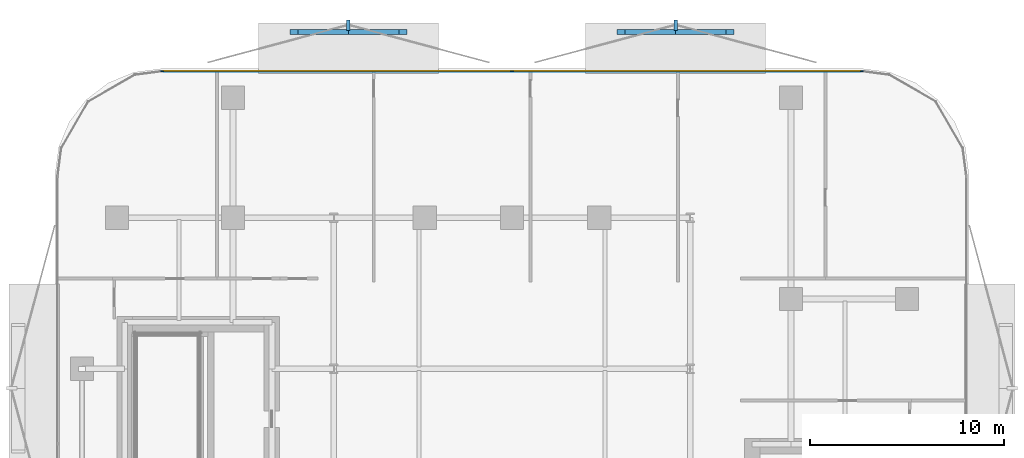
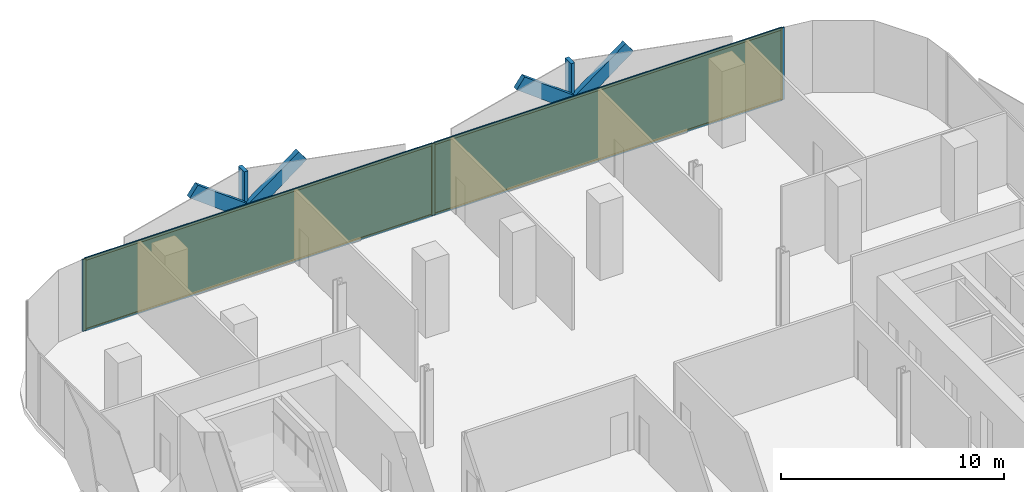
# One storey, part 10 of 15: 13 members, 2 plates, 1 curtain wall.
"""IFC4 building model written with IfcOpenShell, lengths in metres."""

from ifc_helpers import new_model, si_unit, direction, frame, frame_2d, origin, origin_2d, place, context, subcontext, project, spatial, rectangle, extrude, material, layer, layer_set, material_profile, profile_set, type_object, element, aggregate, save


model = new_model("IFC4")

# Units and contexts
model_context = context("Model", 3, precision=1e-05, world=origin(), true_north=direction((0.0, 1.0)))
body_context = subcontext(model_context, "Body", "Model", "MODEL_VIEW")
ifc_project = project(units=[si_unit("LENGTHUNIT", "METRE"), si_unit("AREAUNIT", "SQUARE_METRE"), si_unit("VOLUMEUNIT", "CUBIC_METRE"), si_unit("PLANEANGLEUNIT", "RADIAN"), si_unit("MASSUNIT", "GRAM", prefix="KILO")], contexts=[model_context])

# Member
ifc_material_1 = material(Name="Anodised Bronze Aluminium 6063-T6", Category="aluminium")
ifc_material_profile_1 = material_profile(ifc_material_1, rectangle(XDim=0.260009765625, YDim=0.699951171875, at=origin_2d()))
ifc_profile_set_1 = profile_set([ifc_material_profile_1], Name="Anodised Bronze Aluminium 6063-T6")
member_type_1 = type_object("IfcMemberType", Name="Bronze Diamond Solar-Screen Lattice Rib BDL-700", PredefinedType="MULLION", material=ifc_profile_set_1)
site_placement = place(None, origin())
building_placement = place(site_placement, origin())
storey_placement = place(building_placement, frame((0.0, 0.0, 135.199951171875)))
member_1_placement = place(storey_placement, frame((-11.260498046875, 28.199951171875, -0.1298828125), z_axis=(0.80154474731, 0.0, 0.597934794154), x_axis=(0.0, 1.0, 0.0)))
member_1 = element("IfcMember", 1, at=member_1_placement, type_object=member_type_1, Name="L31 Bronze Diamond Solar Screen Lattice Rib 197A", PredefinedType="MULLION", context=body_context, shape_type="SweptSolid", body=[
    extrude(rectangle(XDim=0.260009765625, YDim=0.699951171875, at=origin_2d()), origin(), (0.0, 0.0, 1.0), 7.024169921875),
])

member_2_placement = place(storey_placement, frame((-5.63037109375, 28.199951171875, -0.1298828125), z_axis=(-0.80154474731, 0.0, 0.597934794154), x_axis=(0.0, -1.0, 0.0)))
member_2 = element("IfcMember", 2, at=member_2_placement, type_object=member_type_1, Name="L31 Bronze Diamond Solar Screen Lattice Rib 197B", PredefinedType="MULLION", context=body_context, shape_type="SweptSolid", body=[
    extrude(rectangle(XDim=0.260009765625, YDim=0.699951171875, at=origin_2d()), origin(), (0.0, 0.0, 1.0), 7.024169921875),
])

member_3_placement = place(storey_placement, frame((5.63037109375, 28.199951171875, -0.1298828125), z_axis=(0.80154474731, 0.0, 0.597934794154), x_axis=(0.0, 1.0, 0.0)))
member_3 = element("IfcMember", 3, at=member_3_placement, type_object=member_type_1, Name="L31 Bronze Diamond Solar Screen Lattice Rib 198A", PredefinedType="MULLION", context=body_context, shape_type="SweptSolid", body=[
    extrude(rectangle(XDim=0.260009765625, YDim=0.699951171875, at=origin_2d()), origin(), (0.0, 0.0, 1.0), 7.024169921875),
])

member_4_placement = place(storey_placement, frame((11.260498046875, 28.199951171875, -0.1298828125), z_axis=(-0.80154474731, 0.0, 0.597934794154), x_axis=(0.0, -1.0, 0.0)))
member_4 = element("IfcMember", 4, at=member_4_placement, type_object=member_type_1, Name="L31 Bronze Diamond Solar Screen Lattice Rib 198B", PredefinedType="MULLION", context=body_context, shape_type="SweptSolid", body=[
    extrude(rectangle(XDim=0.260009765625, YDim=0.699951171875, at=origin_2d()), origin(), (0.0, 0.0, 1.0), 7.024169921875),
])

ifc_material_2 = material(Name="Anodised Bronze Aluminium 6063-T6", Category="aluminium")
ifc_material_profile_2 = material_profile(ifc_material_2, rectangle(XDim=0.179931640625, YDim=0.5400390625, at=origin_2d()))
ifc_profile_set_2 = profile_set([ifc_material_profile_2], Name="Anodised Bronze Aluminium 6063-T6")
member_type_2 = type_object("IfcMemberType", Name="Bronze Solar-Screen Vertical Fold Fin BSF-540", PredefinedType="MULLION", material=ifc_profile_set_2)
member_5_placement = place(storey_placement, frame((-8.4453125, 28.5400390625, -0.1298828125), z_axis=(0.0, 0.0, 1.0), x_axis=(1.0, 0.0, 0.0)))
member_5 = element("IfcMember", 5, at=member_5_placement, type_object=member_type_2, Name="L31 Bronze Solar Screen Vertical Fin 197", PredefinedType="MULLION", context=body_context, shape_type="SweptSolid", body=[
    extrude(rectangle(XDim=0.179931640625, YDim=0.5400390625, at=origin_2d()), origin(), (0.0, 0.0, 1.0), 4.199951171875),
])

member_6_placement = place(storey_placement, frame((8.4453125, 28.5400390625, -0.1298828125), z_axis=(0.0, 0.0, 1.0), x_axis=(1.0, 0.0, 0.0)))
member_6 = element("IfcMember", 6, at=member_6_placement, type_object=member_type_2, Name="L31 Bronze Solar Screen Vertical Fin 198", PredefinedType="MULLION", context=body_context, shape_type="SweptSolid", body=[
    extrude(rectangle(XDim=0.179931640625, YDim=0.5400390625, at=origin_2d()), origin(), (0.0, 0.0, 1.0), 4.199951171875),
])

ifc_material_3 = material(Name="Anodised Bronze Aluminium 6063-T6", Category="aluminium")
ifc_material_profile_3 = material_profile(ifc_material_3, rectangle(XDim=0.06494140625, YDim=0.175048828125, at=origin_2d()))
ifc_profile_set_3 = profile_set([ifc_material_profile_3], Name="Anodised Bronze Aluminium 6063-T6")
member_type_3 = type_object("IfcMemberType", Name="CW-Z2 Mullion 65x175", PredefinedType="MULLION", material=ifc_profile_set_3)
member_7_placement = place(storey_placement, frame((-18.058349609375, 26.159912109375, 0.0), z_axis=(0.0, 0.0, 1.0), x_axis=(0.0, 1.0, 0.0)))
member_7 = element("IfcMember", 7, at=member_7_placement, type_object=member_type_3, Name="CW-Z2 mullion 1", PredefinedType="MULLION", context=body_context, shape_type="SweptSolid", body=[
    extrude(rectangle(XDim=0.06494140625, YDim=0.175048828125, at=origin_2d()), origin(), (0.0, 0.0, 1.0), 3.93994140625),
])

member_8_placement = place(storey_placement, frame((0.0, 26.159912109375, 0.0), z_axis=(0.0, 0.0, 1.0), x_axis=(0.0, 1.0, 0.0)))
member_8 = element("IfcMember", 8, at=member_8_placement, type_object=member_type_3, Name="CW-Z2 mullion 2", PredefinedType="MULLION", context=body_context, shape_type="SweptSolid", body=[
    extrude(rectangle(XDim=0.06494140625, YDim=0.175048828125, at=origin_2d()), origin(), (0.0, 0.0, 1.0), 3.93994140625),
])

member_9_placement = place(storey_placement, frame((18.058349609375, 26.159912109375, 0.0), z_axis=(0.0, 0.0, 1.0), x_axis=(0.0, 1.0, 0.0)))
member_9 = element("IfcMember", 9, at=member_9_placement, type_object=member_type_3, Name="CW-Z2 mullion 3", PredefinedType="MULLION", context=body_context, shape_type="SweptSolid", body=[
    extrude(rectangle(XDim=0.06494140625, YDim=0.175048828125, at=origin_2d()), origin(), (0.0, 0.0, 1.0), 3.93994140625),
])

ifc_material_4 = material(Name="Anodised Bronze Aluminium 6063-T6", Category="aluminium")
ifc_material_profile_4 = material_profile(ifc_material_4, rectangle(XDim=0.06494140625, YDim=0.135009765625, at=origin_2d()))
ifc_profile_set_4 = profile_set([ifc_material_profile_4], Name="Anodised Bronze Aluminium 6063-T6")
member_type_4 = type_object("IfcMemberType", Name="CW-Z2 Transom 65x135", PredefinedType="USERDEFINED", material=ifc_profile_set_4)
member_10_placement = place(storey_placement, frame((-18.02587890625, 26.159912109375, 0.032470703125), z_axis=(1.0, 0.0, 0.0), x_axis=(0.0, 1.0, 0.0)))
member_10 = element("IfcMember", 10, at=member_10_placement, type_object=member_type_4, Name="CW-Z2 transom 1.1", ObjectType="TRANSOM", PredefinedType="USERDEFINED", context=body_context, shape_type="SweptSolid", body=[
    extrude(rectangle(XDim=0.06494140625, YDim=0.135009765625, at=origin_2d()), origin(), (0.0, 0.0, 1.0), 17.993408203125),
])

member_11_placement = place(storey_placement, frame((-18.02587890625, 26.159912109375, 3.907470703125), z_axis=(1.0, 0.0, 0.0), x_axis=(0.0, 1.0, 0.0)))
member_11 = element("IfcMember", 11, at=member_11_placement, type_object=member_type_4, Name="CW-Z2 transom 1.2", ObjectType="TRANSOM", PredefinedType="USERDEFINED", context=body_context, shape_type="SweptSolid", body=[
    extrude(rectangle(XDim=0.06494140625, YDim=0.135009765625, at=origin_2d()), origin(), (0.0, 0.0, 1.0), 17.993408203125),
])

member_12_placement = place(storey_placement, frame((0.032470703125, 26.159912109375, 0.032470703125), z_axis=(1.0, 0.0, 0.0), x_axis=(0.0, 1.0, 0.0)))
member_12 = element("IfcMember", 12, at=member_12_placement, type_object=member_type_4, Name="CW-Z2 transom 2.1", ObjectType="TRANSOM", PredefinedType="USERDEFINED", context=body_context, shape_type="SweptSolid", body=[
    extrude(rectangle(XDim=0.06494140625, YDim=0.135009765625, at=origin_2d()), origin(), (0.0, 0.0, 1.0), 17.993408203125),
])

member_13_placement = place(storey_placement, frame((0.032470703125, 26.159912109375, 3.907470703125), z_axis=(1.0, 0.0, 0.0), x_axis=(0.0, 1.0, 0.0)))
member_13 = element("IfcMember", 13, at=member_13_placement, type_object=member_type_4, Name="CW-Z2 transom 2.2", ObjectType="TRANSOM", PredefinedType="USERDEFINED", context=body_context, shape_type="SweptSolid", body=[
    extrude(rectangle(XDim=0.06494140625, YDim=0.135009765625, at=origin_2d()), origin(), (0.0, 0.0, 1.0), 17.993408203125),
])

# Plate
ifc_material_5 = material(Name="Low-E Solar Control Laminated Glass", Category="glass")
ifc_layer_1 = layer(ifc_material_5, 0.028076171875, Name="Low-E Solar Control Laminated Glass")
ifc_layer_set_1 = layer_set([ifc_layer_1], Name="Low-E Solar Control Laminated Glass")
plate_type = type_object("IfcPlateType", Name="CW-Z2 Low-E Double Glazed Panel 28mm", PredefinedType="CURTAIN_PANEL", material=ifc_layer_set_1)
plate_1_placement = place(storey_placement, frame((-9.029052734375, 26.159912109375, 0.06494140625), z_axis=(0.0, 0.0, 1.0), x_axis=(1.0, 0.0, 0.0)))
plate_1 = element("IfcPlate", 14, at=plate_1_placement, type_object=plate_type, Name="CW-Z2 panel 1.1", PredefinedType="CURTAIN_PANEL", context=body_context, shape_type="SweptSolid", body=[
    extrude(rectangle(XDim=17.993408203125, YDim=0.028076171875, at=origin_2d()), origin(), (0.0, 0.0, 1.0), 3.81005859375),
])

plate_2_placement = place(storey_placement, frame((9.029052734375, 26.159912109375, 0.06494140625), z_axis=(0.0, 0.0, 1.0), x_axis=(1.0, 0.0, 0.0)))
plate_2 = element("IfcPlate", 15, at=plate_2_placement, type_object=plate_type, Name="CW-Z2 panel 2.1", PredefinedType="CURTAIN_PANEL", context=body_context, shape_type="SweptSolid", body=[
    extrude(rectangle(XDim=17.993408203125, YDim=0.028076171875, at=origin_2d()), origin(), (0.0, 0.0, 1.0), 3.81005859375),
])

# Site, building, storey
site = spatial("IfcSite", under=ifc_project, at=site_placement, CompositionType="ELEMENT")
building = spatial("IfcBuilding", under=site, at=building_placement, Name="Khairoan Windgate Tower", CompositionType="ELEMENT")
storey = spatial("IfcBuildingStorey", under=building, at=storey_placement, Name="L31", CompositionType="ELEMENT", Elevation=135.199951171875)

# Curtain wall
ifc_material_6 = material(Name="Anodised Bronze Aluminium 6063-T6", Category="aluminium")
ifc_layer_2 = layer(ifc_material_6, 0.175048828125, Name="Anodised Bronze Aluminium 6063-T6")
ifc_layer_set_2 = layer_set([ifc_layer_2], Name="Anodised Bronze Aluminium 6063-T6")
curtain_wall_type = type_object("IfcCurtainWallType", Name="Mid-Rise Office Unitised Curtain Wall CW-Z2", PredefinedType="NOTDEFINED", material=ifc_layer_set_2)
curtain_wall_placement = place(storey_placement, frame((-18.0908203125, 26.159912109375, 0.0), z_axis=(0.0, 0.0, 1.0), x_axis=(1.0, 0.0, 0.0)))
curtain_wall = element("IfcCurtainWall", 16, at=curtain_wall_placement, inside=storey, type_object=curtain_wall_type, Name="L31 Unitised Curtain Wall 11", PredefinedType="NOTDEFINED", context=body_context, shape_type="SweptSolid", body=[
    extrude(rectangle(XDim=36.181640625, YDim=0.010009765625, at=frame_2d((18.0908203125, 0.0))), origin(), (0.0, 0.0, 1.0), 3.93994140625),
])

aggregate(curtain_wall, [member_7, member_8, member_9, member_10, member_11, plate_1, member_12, member_13, plate_2, member_1, member_2, member_5, member_3, member_4, member_6])

save(model, "model.ifc")
